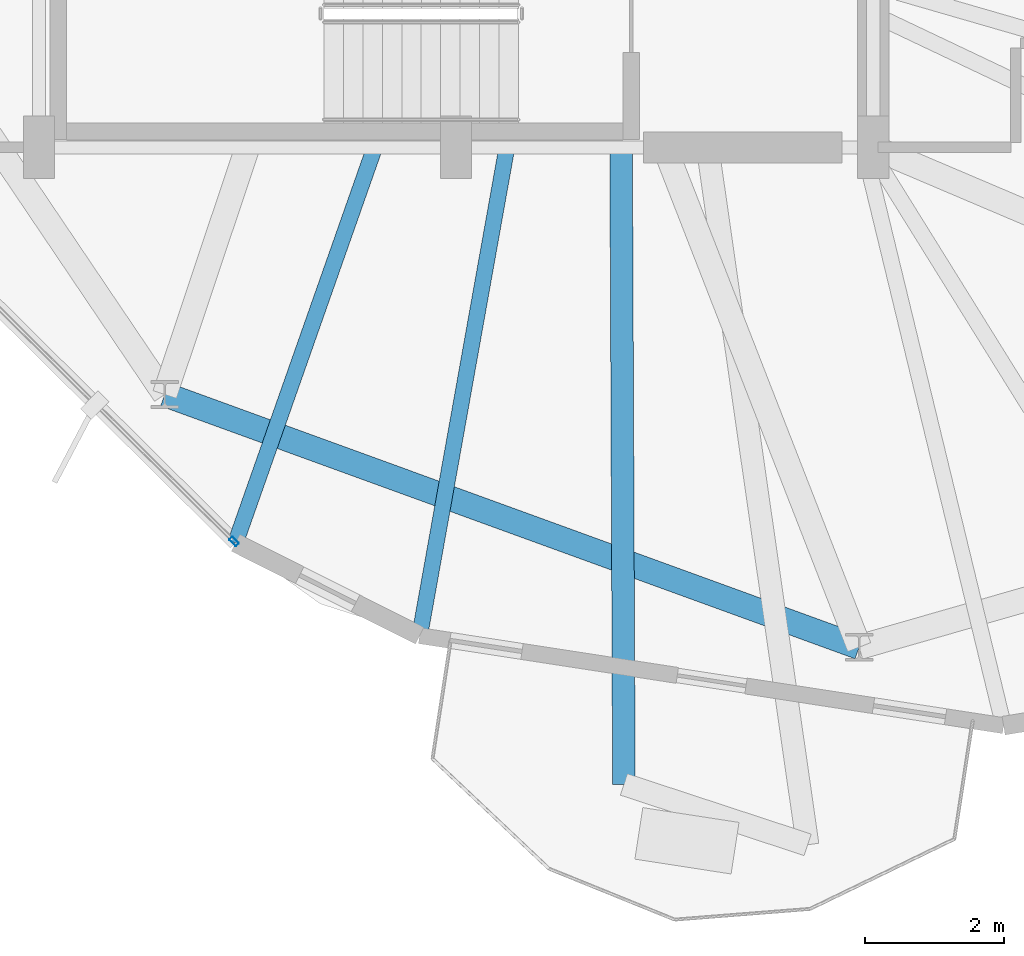
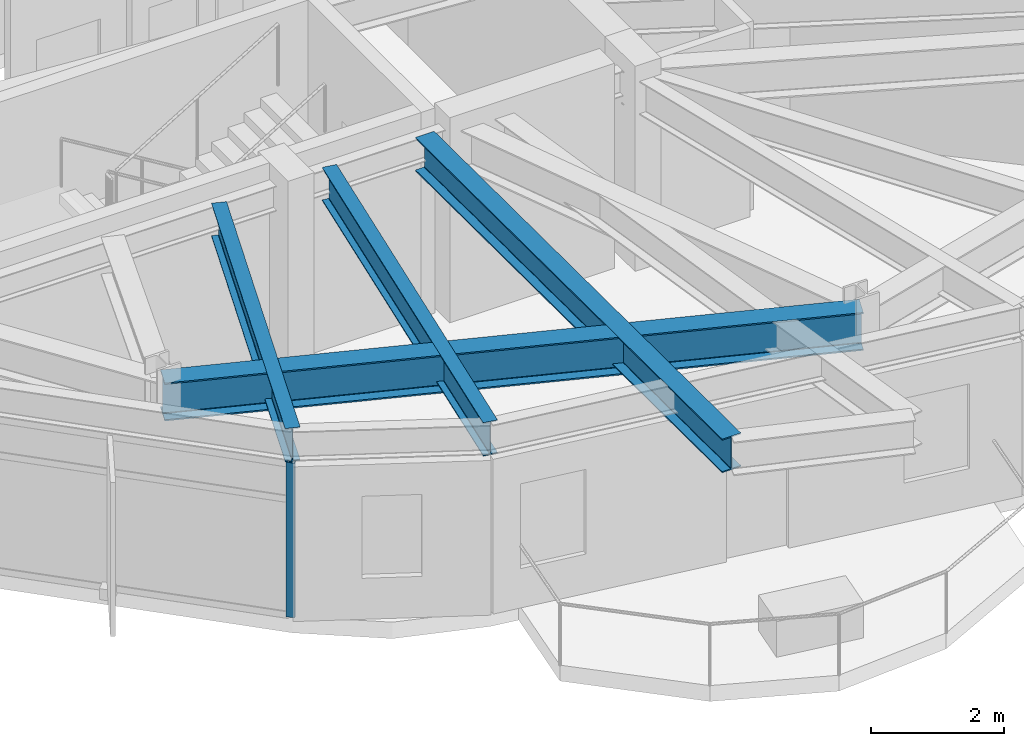
# One storey, part 2 of 22: 4 beams, 1 member, 1 element without a shape of its own.
"""IFC4 building model written with IfcOpenShell, lengths in metres."""

from ifc_helpers import new_model, si_unit, direction, frame, origin, origin_2d, place, context, subcontext, project, spatial, hollow_rectangle, i_section, extrude, material, layer, layer_set, material_profile, profile_set, type_object, element, aggregate, save


model = new_model("IFC4")

# Units and contexts
model_context = context("Model", 3, precision=1e-05, world=origin(), true_north=direction((0.0, 1.0)))
body_context = subcontext(model_context, "Body", "Model", "MODEL_VIEW")
ifc_project = project(units=[si_unit("LENGTHUNIT", "METRE"), si_unit("AREAUNIT", "SQUARE_METRE"), si_unit("VOLUMEUNIT", "CUBIC_METRE"), si_unit("PLANEANGLEUNIT", "RADIAN"), si_unit("MASSUNIT", "GRAM", prefix="KILO")], contexts=[model_context])

# Site, building, storey
site_placement = place(None, origin())
site = spatial("IfcSite", under=ifc_project, at=site_placement, CompositionType="ELEMENT")
building_placement = place(site_placement, origin())
building = spatial("IfcBuilding", under=site, at=building_placement, Name="Soratama Intermodal Tower", CompositionType="ELEMENT")
storey_placement = place(building_placement, frame((0.0, 0.0, 265.0)))
storey = spatial("IfcBuildingStorey", under=building, at=storey_placement, Name="L67", CompositionType="ELEMENT", Elevation=265.0)

# Beams
ifc_material_1 = material(Name="Structural steel ASTM A992 Grade 50", Category="steel")
ifc_material_profile_1 = material_profile(ifc_material_1, i_section(OverallWidth=0.324951171875, OverallDepth=0.615966796875, WebThickness=0.013916015625, FlangeThickness=0.021484375, FilletRadius=0.013916015625, at=origin_2d()), Name="W24X117")
ifc_profile_set_1 = profile_set([ifc_material_profile_1], Name="Structural steel ASTM A992 Grade 50")
beam_type_1 = type_object("IfcBeamType", Name="BM-CANT-W24X117", PredefinedType="BEAM", material=ifc_profile_set_1)
beam_1_placement = place(storey_placement, frame((40.97509765625, 14.9599609375, 3.14208984375), z_axis=(0.004361979483, -0.999990486522, 0.0), x_axis=(0.999990486522, 0.004361979483, 0.0)))
element("IfcBeam", 1, at=beam_1_placement, inside=storey, type_object=beam_type_1, Name="BM-L67-CANT-3-1", PredefinedType="BEAM", context=body_context, shape_type="SweptSolid", body=[
    extrude(i_section(OverallWidth=0.324951171875, OverallDepth=0.615966796875, WebThickness=0.013916015625, FlangeThickness=0.021484375, FilletRadius=0.013916015625, at=origin_2d()), origin(), (0.0, 0.0, 1.0), 9.123046875),
])
ifc_material_2 = material(Name="Structural steel ASTM A992 Grade 50", Category="steel")
ifc_material_profile_2 = material_profile(ifc_material_2, i_section(OverallWidth=0.35498046875, OverallDepth=0.695068359375, WebThickness=0.015380859375, FlangeThickness=0.02490234375, FilletRadius=0.01611328125, at=origin_2d()), Name="W27X146")
ifc_profile_set_2 = profile_set([ifc_material_profile_2], Name="Structural steel ASTM A992 Grade 50")
beam_type_2 = type_object("IfcBeamType", Name="BM-RING-W27X146", PredefinedType="BEAM", material=ifc_profile_set_2)
beam_2_placement = place(storey_placement, frame((34.410888671875, 11.446044921875, 3.1025390625), z_axis=(0.939713598519, -0.341962501976, 0.0), x_axis=(0.341962501976, 0.939713598519, 0.0)))
element("IfcBeam", 2, at=beam_2_placement, inside=storey, type_object=beam_type_2, Name="BM-L67-RING-07", PredefinedType="BEAM", context=body_context, shape_type="SweptSolid", body=[
    extrude(i_section(OverallWidth=0.35498046875, OverallDepth=0.695068359375, WebThickness=0.015380859375, FlangeThickness=0.02490234375, FilletRadius=0.01611328125, at=origin_2d()), origin(), (0.0, 0.0, 1.0), 10.6298828125),
])
ifc_material_3 = material(Name="Structural steel ASTM A992 Grade 50", Category="steel")
ifc_material_profile_3 = material_profile(ifc_material_3, i_section(OverallWidth=0.22900390625, OverallDepth=0.612060546875, WebThickness=0.011962890625, FlangeThickness=0.01953125, FilletRadius=0.012939453125, at=origin_2d()), Name="W24X84")
ifc_profile_set_3 = profile_set([ifc_material_profile_3], Name="Structural steel ASTM A992 Grade 50")
beam_type_3 = type_object("IfcBeamType", Name="BM-TIE-W24X84", PredefinedType="BEAM", material=ifc_profile_set_3)
beam_3_placement = place(storey_placement, frame((37.4169921875, 14.9619140625, 3.14404296875), z_axis=(-0.332067403795, -0.943255659584, 0.0), x_axis=(0.943255659584, -0.332067403795, 0.0)))
element("IfcBeam", 3, at=beam_3_placement, inside=storey, type_object=beam_type_3, Name="BM-L67-TIE1-05", PredefinedType="BEAM", context=body_context, shape_type="SweptSolid", body=[
    extrude(i_section(OverallWidth=0.22900390625, OverallDepth=0.612060546875, WebThickness=0.011962890625, FlangeThickness=0.01953125, FilletRadius=0.012939453125, at=origin_2d()), origin(), (0.0, 0.0, 1.0), 5.98974609375),
])
beam_4_placement = place(storey_placement, frame((39.324951171875, 14.9609375, 3.14404296875), z_axis=(-0.175893053059, -0.984409281694, 0.0), x_axis=(0.984409281694, -0.175893053059, 0.0)))
element("IfcBeam", 4, at=beam_4_placement, inside=storey, type_object=beam_type_3, Name="BM-L67-TIE0-06", PredefinedType="BEAM", context=body_context, shape_type="SweptSolid", body=[
    extrude(i_section(OverallWidth=0.22900390625, OverallDepth=0.612060546875, WebThickness=0.011962890625, FlangeThickness=0.01953125, FilletRadius=0.012939453125, at=origin_2d()), origin(), (0.0, 0.0, 1.0), 7.095458984375),
])

# Curtain wall, member
ifc_material_4 = material(Name="Double-glazed aluminium curtain wall", Category="aluminium")
ifc_layer = layer(ifc_material_4, 0.159912109375)
ifc_layer_set = layer_set([ifc_layer], Name="Double-glazed aluminium curtain wall")
curtain_wall_type = type_object("IfcCurtainWallType", Name="CW-SYS-5", PredefinedType="NOTDEFINED", material=ifc_layer_set)
curtain_wall_placement = place(storey_placement, origin())
curtain_wall = element("IfcCurtainWall", 5, at=curtain_wall_placement, inside=storey, type_object=curtain_wall_type, Name="L67 Faceted Curtain Wall F05", PredefinedType="NOTDEFINED")
ifc_material_5 = material(Name="Anodised aluminium AA 6063-T6", Category="aluminium")
ifc_material_profile_4 = material_profile(ifc_material_5, hollow_rectangle(XDim=0.06494140625, YDim=0.139892578125, WallThickness=0.0048828125, InnerFilletRadius=0.0048828125, OuterFilletRadius=0.010009765625, at=origin_2d()), Name="CWM140X65X5")
ifc_profile_set_4 = profile_set([ifc_material_profile_4], Name="Anodised aluminium AA 6063-T6")
member_type = type_object("IfcMemberType", Name="MT-CWM-5", PredefinedType="MULLION", material=ifc_profile_set_4)
member_placement = place(storey_placement, frame((35.406494140625, 9.332763671875, 0.0), z_axis=(0.0, 0.0, 1.0), x_axis=(0.704135783486, 0.710065347989, 0.0)))
member = element("IfcMember", 6, at=member_placement, type_object=member_type, Name="CW-5 mullion 2", PredefinedType="MULLION", context=body_context, shape_type="SweptSolid", body=[
    extrude(hollow_rectangle(XDim=0.06494140625, YDim=0.139892578125, WallThickness=0.0048828125, InnerFilletRadius=0.0048828125, OuterFilletRadius=0.010009765625, at=origin_2d()), origin(), (0.0, 0.0, 1.0), 2.8291015625),
])
aggregate(curtain_wall, [member])

save(model, "model.ifc")
